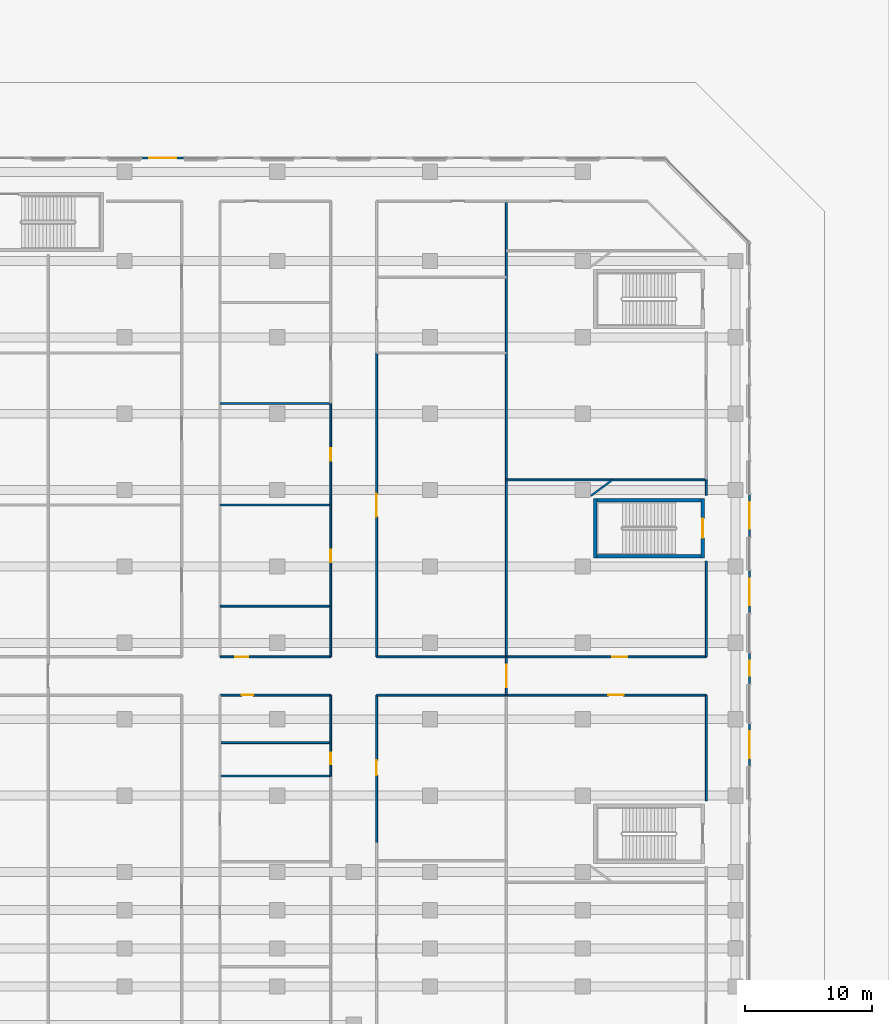
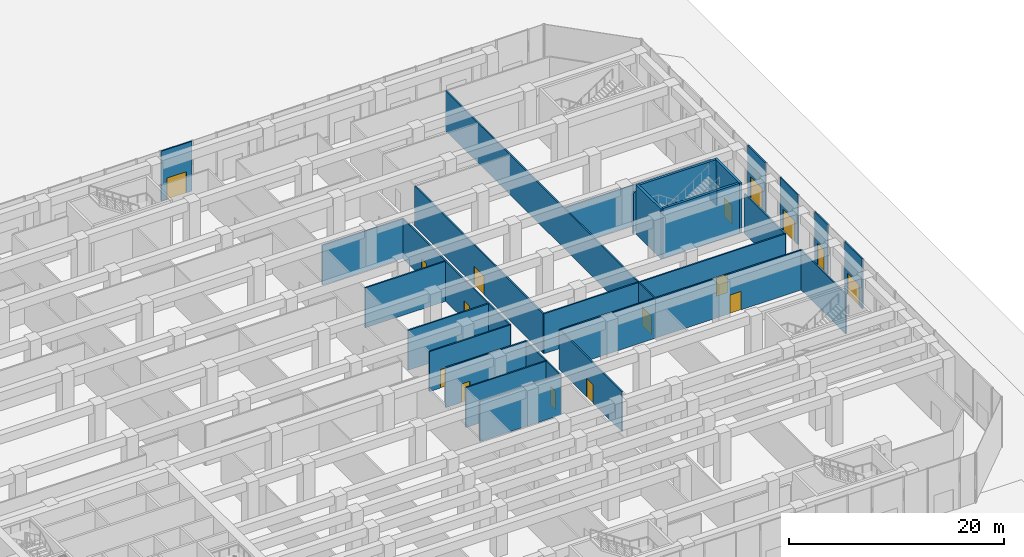
# One storey, part 23 of 32: 34 walls, 16 doors, 16 openings.
"""IFC4 building model written with IfcOpenShell, lengths in metres."""

from ifc_helpers import new_model, si_unit, direction, frame, frame_2d, origin, place, context, subcontext, project, spatial, rectangle, extrude, material, layer, layer_set, type_object, element, fill, save


model = new_model("IFC4")

# Units and contexts
model_context = context("Model", 3, precision=1e-05, world=origin(), true_north=direction((0.0, 1.0)))
body_context = subcontext(model_context, "Body", "Model", "MODEL_VIEW")
ifc_project = project(units=[si_unit("LENGTHUNIT", "METRE"), si_unit("AREAUNIT", "SQUARE_METRE"), si_unit("VOLUMEUNIT", "CUBIC_METRE"), si_unit("PLANEANGLEUNIT", "RADIAN"), si_unit("MASSUNIT", "GRAM", prefix="KILO")], contexts=[model_context])

# Site, building, storey
site_placement = place(None, origin())
site = spatial("IfcSite", under=ifc_project, at=site_placement, CompositionType="ELEMENT")
building_placement = place(site_placement, origin())
building = spatial("IfcBuilding", under=site, at=building_placement, Name="Welwitschia Terrace Campus", CompositionType="ELEMENT")
storey_placement = place(building_placement, origin())
storey = spatial("IfcBuildingStorey", under=building, at=storey_placement, Name="L00", CompositionType="ELEMENT", Elevation=0.0)

# Wall, opening, door
ifc_material_1 = material(Name="Concrete C40/50", Category="concrete")
ifc_layer_1 = layer(ifc_material_1, 0.139892578125)
ifc_layer_set_1 = layer_set([ifc_layer_1], Name="Concrete C40/50")
wall_type_1 = type_object("IfcWallType", Name="Clad wall 140", PredefinedType="SOLIDWALL", material=ifc_layer_set_1)
wall_1_placement = place(storey_placement, frame((97.0849609375, 22.35009765625, 0.0), z_axis=(0.0, 0.0, 1.0), x_axis=(0.0, 1.0, 0.0)))
wall_1 = element("IfcWall", 1, at=wall_1_placement, inside=storey, type_object=wall_type_1, Name="Clad wall L00.entrance E3", PredefinedType="SOLIDWALL", context=body_context, shape_type="SweptSolid", body=[
    extrude(rectangle(XDim=3.2998046875, YDim=0.139892578125, at=frame_2d((1.64990234375, 0.0))), origin(), (0.0, 0.0, 1.0), 5.64990234375),
])
opening_1_placement = place(wall_1_placement, frame((0.60009765625, 0.0, 0.0)))
opening_1 = element("IfcOpeningElement", 2, at=opening_1_placement, cuts=wall_1, Name="Opening DE1", PredefinedType="OPENING", context=body_context, shape_type="SweptSolid", body=[
    extrude(rectangle(XDim=2.10009765625, YDim=2.39990234375, at=frame_2d((1.050048828125, 1.199951171875))), frame((0.0, 0.079833984375, 0.0), z_axis=(0.0, -1.0, 0.0), x_axis=(1.0, 0.0, 0.0)), (0.0, 0.0, 1.0), 0.159912109375),
])
ifc_material_2 = material(Name="Bronze anodised aluminium and glass", Category="aluminium")
door_type_1 = type_object("IfcDoorType", Name="Entrance door 2100x2400", OperationType="DOUBLE_DOOR_DOUBLE_SWING", PredefinedType="DOOR", material=ifc_material_2)
door_1_placement = place(opening_1_placement, origin())
door_1 = element("IfcDoor", 3, at=door_1_placement, inside=storey, type_object=door_type_1, Name="Entrance door E3", OperationType="DOUBLE_DOOR_DOUBLE_SWING", OverallHeight=2.39990234375, OverallWidth=2.10009765625, PredefinedType="DOOR", context=body_context, shape_type="SweptSolid", body=[
    extrude(rectangle(XDim=2.10009765625, YDim=2.39990234375, at=frame_2d((1.050048828125, 1.199951171875))), frame((0.0, 0.02490234375, 0.0), z_axis=(0.0, -1.0, 0.0), x_axis=(1.0, 0.0, 0.0)), (0.0, 0.0, 1.0), 0.050048828125),
])
fill(opening_1, door_1)

wall_2_placement = place(storey_placement, frame((97.0849609375, 28.800048828125, 0.0), z_axis=(0.0, 0.0, 1.0), x_axis=(0.0, 1.0, 0.0)))
wall_2 = element("IfcWall", 4, at=wall_2_placement, inside=storey, type_object=wall_type_1, Name="Clad wall L00.entrance ES", PredefinedType="SOLIDWALL", context=body_context, shape_type="SweptSolid", body=[
    extrude(rectangle(XDim=2.39990234375, YDim=0.139892578125, at=frame_2d((1.199951171875, 0.0))), origin(), (0.0, 0.0, 1.0), 5.64990234375),
])
opening_2_placement = place(wall_2_placement, frame((0.60009765625, 0.0, 0.0)))
opening_2 = element("IfcOpeningElement", 5, at=opening_2_placement, cuts=wall_2, Name="Opening DE2", PredefinedType="OPENING", context=body_context, shape_type="SweptSolid", body=[
    extrude(rectangle(XDim=1.199951171875, YDim=2.39990234375, at=frame_2d((0.60009765625, 1.199951171875))), frame((0.0, 0.079833984375, 0.0), z_axis=(0.0, -1.0, 0.0), x_axis=(1.0, 0.0, 0.0)), (0.0, 0.0, 1.0), 0.159912109375),
])
ifc_material_3 = material(Name="Steel S355 frame, bronze finish", Category="steel")
door_type_2 = type_object("IfcDoorType", Name="Service door 1200x2400", OperationType="SINGLE_SWING_LEFT", PredefinedType="DOOR", material=ifc_material_3)
door_2_placement = place(opening_2_placement, origin())
door_2 = element("IfcDoor", 6, at=door_2_placement, inside=storey, type_object=door_type_2, Name="Service door ES", OperationType="SINGLE_SWING_LEFT", OverallHeight=2.39990234375, OverallWidth=1.199951171875, PredefinedType="DOOR", context=body_context, shape_type="SweptSolid", body=[
    extrude(rectangle(XDim=1.199951171875, YDim=2.39990234375, at=frame_2d((0.60009765625, 1.199951171875))), frame((0.0, 0.02490234375, 0.0), z_axis=(0.0, -1.0, 0.0), x_axis=(1.0, 0.0, 0.0)), (0.0, 0.0, 1.0), 0.050048828125),
])
fill(opening_2, door_2)

wall_3_placement = place(storey_placement, frame((97.0849609375, 34.35009765625, 0.0), z_axis=(0.0, 0.0, 1.0), x_axis=(0.0, 1.0, 0.0)))
wall_3 = element("IfcWall", 7, at=wall_3_placement, inside=storey, type_object=wall_type_1, Name="Clad wall L00.entrance E5", PredefinedType="SOLIDWALL", context=body_context, shape_type="SweptSolid", body=[
    extrude(rectangle(XDim=3.2998046875, YDim=0.139892578125, at=frame_2d((1.64990234375, 0.0))), origin(), (0.0, 0.0, 1.0), 5.64990234375),
])
opening_3_placement = place(wall_3_placement, frame((0.60009765625, 0.0, 0.0)))
opening_3 = element("IfcOpeningElement", 8, at=opening_3_placement, cuts=wall_3, Name="Opening DE1", PredefinedType="OPENING", context=body_context, shape_type="SweptSolid", body=[
    extrude(rectangle(XDim=2.10009765625, YDim=2.39990234375, at=frame_2d((1.050048828125, 1.199951171875))), frame((0.0, 0.079833984375, 0.0), z_axis=(0.0, -1.0, 0.0), x_axis=(1.0, 0.0, 0.0)), (0.0, 0.0, 1.0), 0.159912109375),
])
door_3_placement = place(opening_3_placement, origin())
door_3 = element("IfcDoor", 9, at=door_3_placement, inside=storey, type_object=door_type_1, Name="Entrance door E5", OperationType="DOUBLE_DOOR_DOUBLE_SWING", OverallHeight=2.39990234375, OverallWidth=2.10009765625, PredefinedType="DOOR", context=body_context, shape_type="SweptSolid", body=[
    extrude(rectangle(XDim=2.10009765625, YDim=2.39990234375, at=frame_2d((1.050048828125, 1.199951171875))), frame((0.0, 0.02490234375, 0.0), z_axis=(0.0, -1.0, 0.0), x_axis=(1.0, 0.0, 0.0)), (0.0, 0.0, 1.0), 0.050048828125),
])
fill(opening_3, door_3)

wall_4_placement = place(storey_placement, frame((97.0849609375, 40.35009765625, 0.0), z_axis=(0.0, 0.0, 1.0), x_axis=(0.0, 1.0, 0.0)))
wall_4 = element("IfcWall", 10, at=wall_4_placement, inside=storey, type_object=wall_type_1, Name="Clad wall L00.entrance E6", PredefinedType="SOLIDWALL", context=body_context, shape_type="SweptSolid", body=[
    extrude(rectangle(XDim=3.2998046875, YDim=0.139892578125, at=frame_2d((1.64990234375, 0.0))), origin(), (0.0, 0.0, 1.0), 5.64990234375),
])
opening_4_placement = place(wall_4_placement, frame((0.60009765625, 0.0, 0.0)))
opening_4 = element("IfcOpeningElement", 11, at=opening_4_placement, cuts=wall_4, Name="Opening DE1", PredefinedType="OPENING", context=body_context, shape_type="SweptSolid", body=[
    extrude(rectangle(XDim=2.10009765625, YDim=2.39990234375, at=frame_2d((1.050048828125, 1.199951171875))), frame((0.0, 0.079833984375, 0.0), z_axis=(0.0, -1.0, 0.0), x_axis=(1.0, 0.0, 0.0)), (0.0, 0.0, 1.0), 0.159912109375),
])
door_4_placement = place(opening_4_placement, origin())
door_4 = element("IfcDoor", 12, at=door_4_placement, inside=storey, type_object=door_type_1, Name="Entrance door E6", OperationType="DOUBLE_DOOR_DOUBLE_SWING", OverallHeight=2.39990234375, OverallWidth=2.10009765625, PredefinedType="DOOR", context=body_context, shape_type="SweptSolid", body=[
    extrude(rectangle(XDim=2.10009765625, YDim=2.39990234375, at=frame_2d((1.050048828125, 1.199951171875))), frame((0.0, 0.02490234375, 0.0), z_axis=(0.0, -1.0, 0.0), x_axis=(1.0, 0.0, 0.0)), (0.0, 0.0, 1.0), 0.050048828125),
])
fill(opening_4, door_4)

wall_5_placement = place(storey_placement, frame((52.64990234375, 70.0849609375, 0.0), z_axis=(0.0, 0.0, 1.0), x_axis=(-1.0, 0.0, 0.0)))
wall_5 = element("IfcWall", 13, at=wall_5_placement, inside=storey, type_object=wall_type_1, Name="Clad wall L00.entrance N7", PredefinedType="SOLIDWALL", context=body_context, shape_type="SweptSolid", body=[
    extrude(rectangle(XDim=3.2998046875, YDim=0.139892578125, at=frame_2d((1.64990234375, 0.0))), origin(), (0.0, 0.0, 1.0), 5.64990234375),
])
opening_5_placement = place(wall_5_placement, frame((0.60009765625, 0.0, 0.0)))
opening_5 = element("IfcOpeningElement", 14, at=opening_5_placement, cuts=wall_5, Name="Opening DE1", PredefinedType="OPENING", context=body_context, shape_type="SweptSolid", body=[
    extrude(rectangle(XDim=2.10009765625, YDim=2.39990234375, at=frame_2d((1.050048828125, 1.199951171875))), frame((0.0, 0.079833984375, 0.0), z_axis=(0.0, -1.0, 0.0), x_axis=(1.0, 0.0, 0.0)), (0.0, 0.0, 1.0), 0.159912109375),
])
door_5_placement = place(opening_5_placement, origin())
door_5 = element("IfcDoor", 15, at=door_5_placement, inside=storey, type_object=door_type_1, Name="Entrance door N7", OperationType="DOUBLE_DOOR_DOUBLE_SWING", OverallHeight=2.39990234375, OverallWidth=2.10009765625, PredefinedType="DOOR", context=body_context, shape_type="SweptSolid", body=[
    extrude(rectangle(XDim=2.10009765625, YDim=2.39990234375, at=frame_2d((1.050048828125, 1.199951171875))), frame((0.0, 0.02490234375, 0.0), z_axis=(0.0, -1.0, 0.0), x_axis=(1.0, 0.0, 0.0)), (0.0, 0.0, 1.0), 0.050048828125),
])
fill(opening_5, door_5)

# Wall
ifc_material_4 = material(Name="Concrete C50/60", Category="concrete")
ifc_layer_2 = layer(ifc_material_4, 0.25)
ifc_layer_set_2 = layer_set([ifc_layer_2], Name="Concrete C50/60")
wall_type_2 = type_object("IfcWallType", Name="Core wall 250 Concrete C50/60", PredefinedType="SHEAR", material=ifc_layer_set_2)
wall_6_placement = place(storey_placement, frame((84.97509765625, 38.675048828125, 0.0), z_axis=(0.0, 0.0, 1.0), x_axis=(0.0, 1.0, 0.0)))
element("IfcWall", 16, at=wall_6_placement, inside=storey, type_object=wall_type_2, Name="Core wall", PredefinedType="SHEAR", context=body_context, shape_type="SweptSolid", body=[
    extrude(rectangle(XDim=4.64990234375, YDim=0.25, at=frame_2d((2.324951171875, 0.0))), origin(), (0.0, 0.0, 1.0), 5.64990234375),
])

# Wall, opening, door
wall_7_placement = place(storey_placement, frame((93.425048828125, 43.324951171875, 0.0), z_axis=(0.0, 0.0, 1.0), x_axis=(0.0, -1.0, 0.0)))
wall_7 = element("IfcWall", 17, at=wall_7_placement, inside=storey, type_object=wall_type_2, Name="Core wall", PredefinedType="SHEAR", context=body_context, shape_type="SweptSolid", body=[
    extrude(rectangle(XDim=4.64990234375, YDim=0.25, at=frame_2d((2.324951171875, 0.0))), origin(), (0.0, 0.0, 1.0), 5.64990234375),
])
opening_6_placement = place(wall_7_placement, frame((1.574951171875, 0.0, 0.0)))
opening_6 = element("IfcOpeningElement", 18, at=opening_6_placement, cuts=wall_7, Name="Opening DS15", PredefinedType="OPENING", context=body_context, shape_type="SweptSolid", body=[
    extrude(rectangle(XDim=1.5, YDim=2.10009765625, at=frame_2d((0.75, 1.050048828125))), frame((0.0, 0.135009765625, 0.0), z_axis=(0.0, -1.0, 0.0), x_axis=(1.0, 0.0, 0.0)), (0.0, 0.0, 1.0), 0.27001953125),
])
ifc_material_5 = material(Name="Steel S275", Category="steel")
door_type_3 = type_object("IfcDoorType", Name="Core door DS15", OperationType="DOUBLE_DOOR_SINGLE_SWING", PredefinedType="DOOR", material=ifc_material_5)
door_6_placement = place(opening_6_placement, origin())
door_6 = element("IfcDoor", 19, at=door_6_placement, inside=storey, type_object=door_type_3, Name="Door P8", OperationType="DOUBLE_DOOR_SINGLE_SWING", OverallHeight=2.10009765625, OverallWidth=1.5, PredefinedType="DOOR", context=body_context, shape_type="SweptSolid", body=[
    extrude(rectangle(XDim=1.5, YDim=2.10009765625, at=frame_2d((0.75, 1.050048828125))), frame((0.0, 0.02490234375, 0.0), z_axis=(0.0, -1.0, 0.0), x_axis=(1.0, 0.0, 0.0)), (0.0, 0.0, 1.0), 0.050048828125),
])
fill(opening_6, door_6)

# Walls
for number, where, z_axis, x_axis, name in (
    (20, (85.10009765625, 38.800048828125, 0.0), (0.0, 0.0, 1.0), (1.0, 0.0, 0.0), "Core wall"),
    (21, (85.10009765625, 43.199951171875, 0.0), (0.0, 0.0, 1.0), (1.0, 0.0, 0.0), "Core wall"),
):
    element("IfcWall", number, at=place(storey_placement, frame(where, z_axis=z_axis, x_axis=x_axis)), inside=storey, type_object=wall_type_2, Name=name, PredefinedType="SHEAR", context=body_context, shape_type="SweptSolid", body=[
        extrude(rectangle(XDim=8.199951171875, YDim=0.25, at=frame_2d((4.10009765625, 0.0))), origin(), (0.0, 0.0, 1.0), 5.64990234375),
    ])
ifc_material_6 = material(Name="Gypsum board on steel studs", Category="steel")
ifc_layer_3 = layer(ifc_material_6, 0.14990234375)
ifc_layer_set_3 = layer_set([ifc_layer_3], Name="Gypsum board on steel studs")
wall_type_3 = type_object("IfcWallType", Name="Corridor partition 150 EI 30", PredefinedType="PARTITIONING", material=ifc_layer_set_3)
for number, where, z_axis, x_axis, name in (
    (22, (55.5, 21.5400390625, 0.0), (0.0, 0.0, 1.0), (1.0, 0.0, 0.0), "Partition"),
    (23, (55.5, 24.159912109375, 0.0), (0.0, 0.0, 1.0), (1.0, 0.0, 0.0), "Partition"),
):
    element("IfcWall", number, at=place(storey_placement, frame(where, z_axis=z_axis, x_axis=x_axis)), inside=storey, type_object=wall_type_3, Name=name, PredefinedType="PARTITIONING", context=body_context, shape_type="SweptSolid", body=[
        extrude(rectangle(XDim=8.699951171875, YDim=0.14990234375, at=frame_2d((4.35009765625, 0.0))), origin(), (0.0, 0.0, 1.0), 4.530029296875),
    ])

# Wall, opening, door
wall_8_placement = place(storey_placement, frame((55.5, 30.89990234375, 0.0), z_axis=(0.0, 0.0, 1.0), x_axis=(1.0, 0.0, 0.0)))
wall_8 = element("IfcWall", 24, at=wall_8_placement, inside=storey, type_object=wall_type_3, Name="Partition", PredefinedType="PARTITIONING", context=body_context, shape_type="SweptSolid", body=[
    extrude(rectangle(XDim=8.699951171875, YDim=0.14990234375, at=frame_2d((4.35009765625, 0.0))), origin(), (0.0, 0.0, 1.0), 4.530029296875),
])
opening_7_placement = place(wall_8_placement, frame((1.199951171875, 0.0, 0.0)))
opening_7 = element("IfcOpeningElement", 25, at=opening_7_placement, cuts=wall_8, Name="Opening DI10", PredefinedType="OPENING", context=body_context, shape_type="SweptSolid", body=[
    extrude(rectangle(XDim=1.0, YDim=2.10009765625, at=frame_2d((0.5, 1.050048828125))), frame((0.0, 0.0849609375, 0.0), z_axis=(0.0, -1.0, 0.0), x_axis=(1.0, 0.0, 0.0)), (0.0, 0.0, 1.0), 0.169921875),
])
ifc_material_7 = material(Name="Timber veneered door", Category="wood")
door_type_4 = type_object("IfcDoorType", Name="Interior door DI10", OperationType="NOTDEFINED", PredefinedType="DOOR", material=ifc_material_7)
door_7_placement = place(opening_7_placement, origin())
door_7 = element("IfcDoor", 26, at=door_7_placement, inside=storey, type_object=door_type_4, Name="Door L00 040", OperationType="SINGLE_SWING_LEFT", OverallHeight=2.10009765625, OverallWidth=1.0, PredefinedType="DOOR", context=body_context, shape_type="SweptSolid", body=[
    extrude(rectangle(XDim=1.0, YDim=2.10009765625, at=frame_2d((0.5, 1.050048828125))), frame((0.0, 0.02490234375, 0.0), z_axis=(0.0, -1.0, 0.0), x_axis=(1.0, 0.0, 0.0)), (0.0, 0.0, 1.0), 0.050048828125),
])
fill(opening_7, door_7)

# Walls
for number, where, z_axis, x_axis, name in (
    (27, (55.5, 34.8798828125, 0.0), (0.0, 0.0, 1.0), (1.0, 0.0, 0.0), "Partition"),
    (28, (55.5, 42.830078125, 0.0), (0.0, 0.0, 1.0), (1.0, 0.0, 0.0), "Partition"),
    (29, (55.5, 50.800048828125, 0.0), (0.0, 0.0, 1.0), (1.0, 0.0, 0.0), "Partition"),
):
    element("IfcWall", number, at=place(storey_placement, frame(where, z_axis=z_axis, x_axis=x_axis)), inside=storey, type_object=wall_type_3, Name=name, PredefinedType="PARTITIONING", context=body_context, shape_type="SweptSolid", body=[
        extrude(rectangle(XDim=8.699951171875, YDim=0.14990234375, at=frame_2d((4.35009765625, 0.0))), origin(), (0.0, 0.0, 1.0), 4.530029296875),
    ])

# Wall, opening, door
wall_9_placement = place(storey_placement, frame((64.199951171875, 21.5400390625, 0.0), z_axis=(0.0, 0.0, 1.0), x_axis=(0.0, 1.0, 0.0)))
wall_9 = element("IfcWall", 30, at=wall_9_placement, inside=storey, type_object=wall_type_3, Name="Partition", PredefinedType="PARTITIONING", context=body_context, shape_type="SweptSolid", body=[
    extrude(rectangle(XDim=2.619873046875, YDim=0.14990234375, at=frame_2d((1.31005859375, 0.0))), origin(), (0.0, 0.0, 1.0), 4.530029296875),
])
opening_8_placement = place(wall_9_placement, frame((0.919921875, 0.0, 0.0)))
opening_8 = element("IfcOpeningElement", 31, at=opening_8_placement, cuts=wall_9, Name="Opening DI09", PredefinedType="OPENING", context=body_context, shape_type="SweptSolid", body=[
    extrude(rectangle(XDim=0.89990234375, YDim=2.10009765625, at=frame_2d((0.449951171875, 1.050048828125))), frame((0.0, 0.0849609375, 0.0), z_axis=(0.0, -1.0, 0.0), x_axis=(1.0, 0.0, 0.0)), (0.0, 0.0, 1.0), 0.169921875),
])
ifc_material_8 = material(Name="Timber veneered door", Category="wood")
door_type_5 = type_object("IfcDoorType", Name="Interior door DI09", OperationType="NOTDEFINED", PredefinedType="DOOR", material=ifc_material_8)
door_8_placement = place(opening_8_placement, origin())
door_8 = element("IfcDoor", 32, at=door_8_placement, inside=storey, type_object=door_type_5, Name="Door L00 041", OperationType="SINGLE_SWING_RIGHT", OverallHeight=2.10009765625, OverallWidth=0.89990234375, PredefinedType="DOOR", context=body_context, shape_type="SweptSolid", body=[
    extrude(rectangle(XDim=0.89990234375, YDim=2.10009765625, at=frame_2d((0.449951171875, 1.050048828125))), frame((0.0, 0.02490234375, 0.0), z_axis=(0.0, -1.0, 0.0), x_axis=(1.0, 0.0, 0.0)), (0.0, 0.0, 1.0), 0.050048828125),
])
fill(opening_8, door_8)

# Wall
wall_10_placement = place(storey_placement, frame((64.199951171875, 24.159912109375, 0.0), z_axis=(0.0, 0.0, 1.0), x_axis=(0.0, 1.0, 0.0)))
element("IfcWall", 33, at=wall_10_placement, inside=storey, type_object=wall_type_3, Name="Partition", PredefinedType="PARTITIONING", context=body_context, shape_type="SweptSolid", body=[
    extrude(rectangle(XDim=3.739990234375, YDim=0.14990234375, at=frame_2d((1.8701171875, 0.0))), origin(), (0.0, 0.0, 1.0), 4.530029296875),
])

# Wall, opening, door
wall_11_placement = place(storey_placement, frame((64.199951171875, 27.89990234375, 0.0), z_axis=(0.0, 0.0, 1.0), x_axis=(-1.0, 0.0, 0.0)))
wall_11 = element("IfcWall", 34, at=wall_11_placement, inside=storey, type_object=wall_type_3, Name="Partition", PredefinedType="PARTITIONING", context=body_context, shape_type="SweptSolid", body=[
    extrude(rectangle(XDim=8.699951171875, YDim=0.14990234375, at=frame_2d((4.35009765625, 0.0))), origin(), (0.0, 0.0, 1.0), 4.530029296875),
])
opening_9_placement = place(wall_11_placement, frame((6.10009765625, 0.0, 0.0)))
opening_9 = element("IfcOpeningElement", 35, at=opening_9_placement, cuts=wall_11, Name="Opening DI09", PredefinedType="OPENING", context=body_context, shape_type="SweptSolid", body=[
    extrude(rectangle(XDim=0.89990234375, YDim=2.10009765625, at=frame_2d((0.449951171875, 1.050048828125))), frame((0.0, 0.0849609375, 0.0), z_axis=(0.0, -1.0, 0.0), x_axis=(1.0, 0.0, 0.0)), (0.0, 0.0, 1.0), 0.169921875),
])
door_9_placement = place(opening_9_placement, origin())
door_9 = element("IfcDoor", 36, at=door_9_placement, inside=storey, type_object=door_type_5, Name="Door L00 042", OperationType="SINGLE_SWING_LEFT", OverallHeight=2.10009765625, OverallWidth=0.89990234375, PredefinedType="DOOR", context=body_context, shape_type="SweptSolid", body=[
    extrude(rectangle(XDim=0.89990234375, YDim=2.10009765625, at=frame_2d((0.449951171875, 1.050048828125))), frame((0.0, 0.02490234375, 0.0), z_axis=(0.0, -1.0, 0.0), x_axis=(1.0, 0.0, 0.0)), (0.0, 0.0, 1.0), 0.050048828125),
])
fill(opening_9, door_9)

# Wall
wall_12_placement = place(storey_placement, frame((64.199951171875, 30.89990234375, 0.0), z_axis=(0.0, 0.0, 1.0), x_axis=(0.0, 1.0, 0.0)))
element("IfcWall", 37, at=wall_12_placement, inside=storey, type_object=wall_type_3, Name="Partition", PredefinedType="PARTITIONING", context=body_context, shape_type="SweptSolid", body=[
    extrude(rectangle(XDim=3.97998046875, YDim=0.14990234375, at=frame_2d((1.989990234375, 0.0))), origin(), (0.0, 0.0, 1.0), 4.530029296875),
])

# Wall, opening, door
wall_13_placement = place(storey_placement, frame((64.199951171875, 34.8798828125, 0.0), z_axis=(0.0, 0.0, 1.0), x_axis=(0.0, 1.0, 0.0)))
wall_13 = element("IfcWall", 38, at=wall_13_placement, inside=storey, type_object=wall_type_3, Name="Partition", PredefinedType="PARTITIONING", context=body_context, shape_type="SweptSolid", body=[
    extrude(rectangle(XDim=7.9501953125, YDim=0.14990234375, at=frame_2d((3.97509765625, 0.0))), origin(), (0.0, 0.0, 1.0), 4.530029296875),
])
opening_10_placement = place(wall_13_placement, frame((3.449951171875, 0.0, 0.0)))
opening_10 = element("IfcOpeningElement", 39, at=opening_10_placement, cuts=wall_13, Name="Opening DI10", PredefinedType="OPENING", context=body_context, shape_type="SweptSolid", body=[
    extrude(rectangle(XDim=1.0, YDim=2.10009765625, at=frame_2d((0.5, 1.050048828125))), frame((0.0, 0.0849609375, 0.0), z_axis=(0.0, -1.0, 0.0), x_axis=(1.0, 0.0, 0.0)), (0.0, 0.0, 1.0), 0.169921875),
])
door_10_placement = place(opening_10_placement, origin())
door_10 = element("IfcDoor", 40, at=door_10_placement, inside=storey, type_object=door_type_4, Name="Door L00 043", OperationType="SINGLE_SWING_RIGHT", OverallHeight=2.10009765625, OverallWidth=1.0, PredefinedType="DOOR", context=body_context, shape_type="SweptSolid", body=[
    extrude(rectangle(XDim=1.0, YDim=2.10009765625, at=frame_2d((0.5, 1.050048828125))), frame((0.0, 0.02490234375, 0.0), z_axis=(0.0, -1.0, 0.0), x_axis=(1.0, 0.0, 0.0)), (0.0, 0.0, 1.0), 0.050048828125),
])
fill(opening_10, door_10)

wall_14_placement = place(storey_placement, frame((64.199951171875, 42.830078125, 0.0), z_axis=(0.0, 0.0, 1.0), x_axis=(0.0, 1.0, 0.0)))
wall_14 = element("IfcWall", 41, at=wall_14_placement, inside=storey, type_object=wall_type_3, Name="Partition", PredefinedType="PARTITIONING", context=body_context, shape_type="SweptSolid", body=[
    extrude(rectangle(XDim=7.969970703125, YDim=0.14990234375, at=frame_2d((3.98486328125, 0.0))), origin(), (0.0, 0.0, 1.0), 4.530029296875),
])
opening_11_placement = place(wall_14_placement, frame((3.469970703125, 0.0, 0.0)))
opening_11 = element("IfcOpeningElement", 42, at=opening_11_placement, cuts=wall_14, Name="Opening DI10", PredefinedType="OPENING", context=body_context, shape_type="SweptSolid", body=[
    extrude(rectangle(XDim=1.0, YDim=2.10009765625, at=frame_2d((0.5, 1.050048828125))), frame((0.0, 0.0849609375, 0.0), z_axis=(0.0, -1.0, 0.0), x_axis=(1.0, 0.0, 0.0)), (0.0, 0.0, 1.0), 0.169921875),
])
door_11_placement = place(opening_11_placement, origin())
door_11 = element("IfcDoor", 43, at=door_11_placement, inside=storey, type_object=door_type_4, Name="Door L00 044", OperationType="SINGLE_SWING_LEFT", OverallHeight=2.10009765625, OverallWidth=1.0, PredefinedType="DOOR", context=body_context, shape_type="SweptSolid", body=[
    extrude(rectangle(XDim=1.0, YDim=2.10009765625, at=frame_2d((0.5, 1.050048828125))), frame((0.0, 0.02490234375, 0.0), z_axis=(0.0, -1.0, 0.0), x_axis=(1.0, 0.0, 0.0)), (0.0, 0.0, 1.0), 0.050048828125),
])
fill(opening_11, door_11)

wall_15_placement = place(storey_placement, frame((67.800048828125, 27.89990234375, 0.0), z_axis=(0.0, 0.0, 1.0), x_axis=(0.0, -1.0, 0.0)))
wall_15 = element("IfcWall", 44, at=wall_15_placement, inside=storey, type_object=wall_type_3, Name="Partition", PredefinedType="PARTITIONING", context=body_context, shape_type="SweptSolid", body=[
    extrude(rectangle(XDim=11.60986328125, YDim=0.14990234375, at=frame_2d((5.804931640625, 0.0))), origin(), (0.0, 0.0, 1.0), 4.530029296875),
])
opening_12_placement = place(wall_15_placement, frame((5.110107421875, 0.0, 0.0)))
opening_12 = element("IfcOpeningElement", 45, at=opening_12_placement, cuts=wall_15, Name="Opening DI12", PredefinedType="OPENING", context=body_context, shape_type="SweptSolid", body=[
    extrude(rectangle(XDim=1.199951171875, YDim=2.10009765625, at=frame_2d((0.60009765625, 1.050048828125))), frame((0.0, 0.0849609375, 0.0), z_axis=(0.0, -1.0, 0.0), x_axis=(1.0, 0.0, 0.0)), (0.0, 0.0, 1.0), 0.169921875),
])
ifc_material_9 = material(Name="Timber veneered door", Category="wood")
door_type_6 = type_object("IfcDoorType", Name="Interior door DI12", OperationType="NOTDEFINED", PredefinedType="DOOR", material=ifc_material_9)
door_12_placement = place(opening_12_placement, origin())
door_12 = element("IfcDoor", 46, at=door_12_placement, inside=storey, type_object=door_type_6, Name="Door L00 048", OperationType="SINGLE_SWING_LEFT", OverallHeight=2.10009765625, OverallWidth=1.199951171875, PredefinedType="DOOR", context=body_context, shape_type="SweptSolid", body=[
    extrude(rectangle(XDim=1.199951171875, YDim=2.10009765625, at=frame_2d((0.60009765625, 1.050048828125))), frame((0.0, 0.02490234375, 0.0), z_axis=(0.0, -1.0, 0.0), x_axis=(1.0, 0.0, 0.0)), (0.0, 0.0, 1.0), 0.050048828125),
])
fill(opening_12, door_12)

# Wall
wall_16_placement = place(storey_placement, frame((67.800048828125, 27.89990234375, 0.0), z_axis=(0.0, 0.0, 1.0), x_axis=(1.0, 0.0, 0.0)))
element("IfcWall", 47, at=wall_16_placement, inside=storey, type_object=wall_type_3, Name="Partition", PredefinedType="PARTITIONING", context=body_context, shape_type="SweptSolid", body=[
    extrude(rectangle(XDim=10.199951171875, YDim=0.14990234375, at=frame_2d((5.10009765625, 0.0))), origin(), (0.0, 0.0, 1.0), 4.530029296875),
])

# Wall, opening, door
wall_17_placement = place(storey_placement, frame((67.800048828125, 30.89990234375, 0.0), z_axis=(0.0, 0.0, 1.0), x_axis=(0.0, 1.0, 0.0)))
wall_17 = element("IfcWall", 48, at=wall_17_placement, inside=storey, type_object=wall_type_3, Name="Partition", PredefinedType="PARTITIONING", context=body_context, shape_type="SweptSolid", body=[
    extrude(rectangle(XDim=23.8701171875, YDim=0.14990234375, at=frame_2d((11.93505859375, 0.0))), origin(), (0.0, 0.0, 1.0), 4.530029296875),
])
opening_13_placement = place(wall_17_placement, frame((11.0, 0.0, 0.0)))
opening_13 = element("IfcOpeningElement", 49, at=opening_13_placement, cuts=wall_17, Name="Opening DI18", PredefinedType="OPENING", context=body_context, shape_type="SweptSolid", body=[
    extrude(rectangle(XDim=1.800048828125, YDim=2.10009765625, at=frame_2d((0.89990234375, 1.050048828125))), frame((0.0, 0.0849609375, 0.0), z_axis=(0.0, -1.0, 0.0), x_axis=(1.0, 0.0, 0.0)), (0.0, 0.0, 1.0), 0.169921875),
])
ifc_material_10 = material(Name="Timber veneered door", Category="wood")
door_type_7 = type_object("IfcDoorType", Name="Interior door DI18", OperationType="DOUBLE_DOOR_SINGLE_SWING", PredefinedType="DOOR", material=ifc_material_10)
door_13_placement = place(opening_13_placement, origin())
door_13 = element("IfcDoor", 50, at=door_13_placement, inside=storey, type_object=door_type_7, Name="Door L00 049", OperationType="SINGLE_SWING_LEFT", OverallHeight=2.10009765625, OverallWidth=1.800048828125, PredefinedType="DOOR", context=body_context, shape_type="SweptSolid", body=[
    extrude(rectangle(XDim=1.800048828125, YDim=2.10009765625, at=frame_2d((0.89990234375, 1.050048828125))), frame((0.0, 0.02490234375, 0.0), z_axis=(0.0, -1.0, 0.0), x_axis=(1.0, 0.0, 0.0)), (0.0, 0.0, 1.0), 0.050048828125),
])
fill(opening_13, door_13)

# Wall
wall_18_placement = place(storey_placement, frame((67.800048828125, 30.89990234375, 0.0), z_axis=(0.0, 0.0, 1.0), x_axis=(1.0, 0.0, 0.0)))
element("IfcWall", 51, at=wall_18_placement, inside=storey, type_object=wall_type_3, Name="Partition", PredefinedType="PARTITIONING", context=body_context, shape_type="SweptSolid", body=[
    extrude(rectangle(XDim=10.199951171875, YDim=0.14990234375, at=frame_2d((5.10009765625, 0.0))), origin(), (0.0, 0.0, 1.0), 4.530029296875),
])

# Wall, opening, door
wall_19_placement = place(storey_placement, frame((78.0, 30.89990234375, 0.0), z_axis=(0.0, 0.0, 1.0), x_axis=(0.0, -1.0, 0.0)))
wall_19 = element("IfcWall", 52, at=wall_19_placement, inside=storey, type_object=wall_type_3, Name="Partition", PredefinedType="PARTITIONING", context=body_context, shape_type="SweptSolid", body=[
    extrude(rectangle(XDim=3.0, YDim=0.14990234375, at=frame_2d((1.5, 0.0))), origin(), (0.0, 0.0, 1.0), 4.530029296875),
])
opening_14_placement = place(wall_19_placement, frame((0.60009765625, 0.0, 0.0)))
opening_14 = element("IfcOpeningElement", 53, at=opening_14_placement, cuts=wall_19, Name="Opening DF18", PredefinedType="OPENING", context=body_context, shape_type="SweptSolid", body=[
    extrude(rectangle(XDim=1.800048828125, YDim=2.10009765625, at=frame_2d((0.89990234375, 1.050048828125))), frame((0.0, 0.0849609375, 0.0), z_axis=(0.0, -1.0, 0.0), x_axis=(1.0, 0.0, 0.0)), (0.0, 0.0, 1.0), 0.169921875),
])
ifc_material_11 = material(Name="Timber veneered door", Category="wood")
door_type_8 = type_object("IfcDoorType", Name="Interior door DF18", OperationType="DOUBLE_DOOR_SINGLE_SWING", PredefinedType="DOOR", material=ifc_material_11)
door_14_placement = place(opening_14_placement, origin())
door_14 = element("IfcDoor", 54, at=door_14_placement, inside=storey, type_object=door_type_8, Name="Door L00 051", OperationType="SINGLE_SWING_LEFT", OverallHeight=2.10009765625, OverallWidth=1.800048828125, PredefinedType="DOOR", context=body_context, shape_type="SweptSolid", body=[
    extrude(rectangle(XDim=1.800048828125, YDim=2.10009765625, at=frame_2d((0.89990234375, 1.050048828125))), frame((0.0, 0.02490234375, 0.0), z_axis=(0.0, -1.0, 0.0), x_axis=(1.0, 0.0, 0.0)), (0.0, 0.0, 1.0), 0.050048828125),
])
fill(opening_14, door_14)

# Wall
wall_20_placement = place(storey_placement, frame((78.0, 30.89990234375, 0.0), z_axis=(0.0, 0.0, 1.0), x_axis=(0.0, 1.0, 0.0)))
element("IfcWall", 55, at=wall_20_placement, inside=storey, type_object=wall_type_3, Name="Partition", PredefinedType="PARTITIONING", context=body_context, shape_type="SweptSolid", body=[
    extrude(rectangle(XDim=35.800048828125, YDim=0.14990234375, at=frame_2d((17.89990234375, 0.0))), origin(), (0.0, 0.0, 1.0), 4.530029296875),
])

# Wall, opening, door
wall_21_placement = place(storey_placement, frame((78.0, 30.89990234375, 0.0), z_axis=(0.0, 0.0, 1.0), x_axis=(1.0, 0.0, 0.0)))
wall_21 = element("IfcWall", 56, at=wall_21_placement, inside=storey, type_object=wall_type_3, Name="Partition", PredefinedType="PARTITIONING", context=body_context, shape_type="SweptSolid", body=[
    extrude(rectangle(XDim=15.699951171875, YDim=0.14990234375, at=frame_2d((7.85009765625, 0.0))), origin(), (0.0, 0.0, 1.0), 4.530029296875),
])
opening_15_placement = place(wall_21_placement, frame((8.300048828125, 0.0, 0.0)))
opening_15 = element("IfcOpeningElement", 57, at=opening_15_placement, cuts=wall_21, Name="Opening DI12", PredefinedType="OPENING", context=body_context, shape_type="SweptSolid", body=[
    extrude(rectangle(XDim=1.199951171875, YDim=2.10009765625, at=frame_2d((0.60009765625, 1.050048828125))), frame((0.0, 0.0849609375, 0.0), z_axis=(0.0, -1.0, 0.0), x_axis=(1.0, 0.0, 0.0)), (0.0, 0.0, 1.0), 0.169921875),
])
door_15_placement = place(opening_15_placement, origin())
door_15 = element("IfcDoor", 58, at=door_15_placement, inside=storey, type_object=door_type_6, Name="Door L00 052", OperationType="SINGLE_SWING_LEFT", OverallHeight=2.10009765625, OverallWidth=1.199951171875, PredefinedType="DOOR", context=body_context, shape_type="SweptSolid", body=[
    extrude(rectangle(XDim=1.199951171875, YDim=2.10009765625, at=frame_2d((0.60009765625, 1.050048828125))), frame((0.0, 0.02490234375, 0.0), z_axis=(0.0, -1.0, 0.0), x_axis=(1.0, 0.0, 0.0)), (0.0, 0.0, 1.0), 0.050048828125),
])
fill(opening_15, door_15)

# Walls
wall_22_placement = place(storey_placement, frame((78.0, 44.800048828125, 0.0), z_axis=(0.0, 0.0, 1.0), x_axis=(1.0, 0.0, 0.0)))
element("IfcWall", 59, at=wall_22_placement, inside=storey, type_object=wall_type_3, Name="Partition", PredefinedType="PARTITIONING", context=body_context, shape_type="SweptSolid", body=[
    extrude(rectangle(XDim=15.699951171875, YDim=0.14990234375, at=frame_2d((7.85009765625, 0.0))), origin(), (0.0, 0.0, 1.0), 4.530029296875),
])
wall_23_placement = place(storey_placement, frame((84.639892578125, 43.550048828125, 0.0), z_axis=(0.0, 0.0, 1.0), x_axis=(0.802316318144, 0.596899091673, 0.0)))
element("IfcWall", 60, at=wall_23_placement, inside=storey, type_object=wall_type_3, Name="Partition", PredefinedType="PARTITIONING", context=body_context, shape_type="SweptSolid", body=[
    extrude(rectangle(XDim=2.09423828125, YDim=0.14990234375, at=frame_2d((1.047119140625, 0.0))), origin(), (0.0, 0.0, 1.0), 4.530029296875),
])
wall_24_placement = place(storey_placement, frame((93.699951171875, 19.580078125, 0.0), z_axis=(0.0, 0.0, 1.0), x_axis=(0.0, 1.0, 0.0)))
element("IfcWall", 61, at=wall_24_placement, inside=storey, type_object=wall_type_3, Name="Partition", PredefinedType="PARTITIONING", context=body_context, shape_type="SweptSolid", body=[
    extrude(rectangle(XDim=8.31982421875, YDim=0.14990234375, at=frame_2d((4.159912109375, 0.0))), origin(), (0.0, 0.0, 1.0), 4.530029296875),
])

# Wall, opening, door
wall_25_placement = place(storey_placement, frame((93.699951171875, 27.89990234375, 0.0), z_axis=(0.0, 0.0, 1.0), x_axis=(-1.0, 0.0, 0.0)))
wall_25 = element("IfcWall", 62, at=wall_25_placement, inside=storey, type_object=wall_type_3, Name="Partition", PredefinedType="PARTITIONING", context=body_context, shape_type="SweptSolid", body=[
    extrude(rectangle(XDim=15.699951171875, YDim=0.14990234375, at=frame_2d((7.85009765625, 0.0))), origin(), (0.0, 0.0, 1.0), 4.530029296875),
])
opening_16_placement = place(wall_25_placement, frame((6.5, 0.0, 0.0)))
opening_16 = element("IfcOpeningElement", 63, at=opening_16_placement, cuts=wall_25, Name="Opening DI12", PredefinedType="OPENING", context=body_context, shape_type="SweptSolid", body=[
    extrude(rectangle(XDim=1.199951171875, YDim=2.10009765625, at=frame_2d((0.60009765625, 1.050048828125))), frame((0.0, 0.0849609375, 0.0), z_axis=(0.0, -1.0, 0.0), x_axis=(1.0, 0.0, 0.0)), (0.0, 0.0, 1.0), 0.169921875),
])
door_16_placement = place(opening_16_placement, origin())
door_16 = element("IfcDoor", 64, at=door_16_placement, inside=storey, type_object=door_type_6, Name="Door L00 056", OperationType="SINGLE_SWING_LEFT", OverallHeight=2.10009765625, OverallWidth=1.199951171875, PredefinedType="DOOR", context=body_context, shape_type="SweptSolid", body=[
    extrude(rectangle(XDim=1.199951171875, YDim=2.10009765625, at=frame_2d((0.60009765625, 1.050048828125))), frame((0.0, 0.02490234375, 0.0), z_axis=(0.0, -1.0, 0.0), x_axis=(1.0, 0.0, 0.0)), (0.0, 0.0, 1.0), 0.050048828125),
])
fill(opening_16, door_16)

# Walls
wall_26_placement = place(storey_placement, frame((93.699951171875, 30.89990234375, 0.0), z_axis=(0.0, 0.0, 1.0), x_axis=(0.0, 1.0, 0.0)))
element("IfcWall", 65, at=wall_26_placement, inside=storey, type_object=wall_type_3, Name="Partition", PredefinedType="PARTITIONING", context=body_context, shape_type="SweptSolid", body=[
    extrude(rectangle(XDim=7.52001953125, YDim=0.14990234375, at=frame_2d((3.760009765625, 0.0))), origin(), (0.0, 0.0, 1.0), 4.530029296875),
])
wall_27_placement = place(storey_placement, frame((93.699951171875, 43.580078125, 0.0), z_axis=(0.0, 0.0, 1.0), x_axis=(0.0, 1.0, 0.0)))
element("IfcWall", 66, at=wall_27_placement, inside=storey, type_object=wall_type_3, Name="Partition", PredefinedType="PARTITIONING", context=body_context, shape_type="SweptSolid", body=[
    extrude(rectangle(XDim=1.219970703125, YDim=0.14990234375, at=frame_2d((0.60986328125, 0.0))), origin(), (0.0, 0.0, 1.0), 4.530029296875),
])

save(model, "model.ifc")
